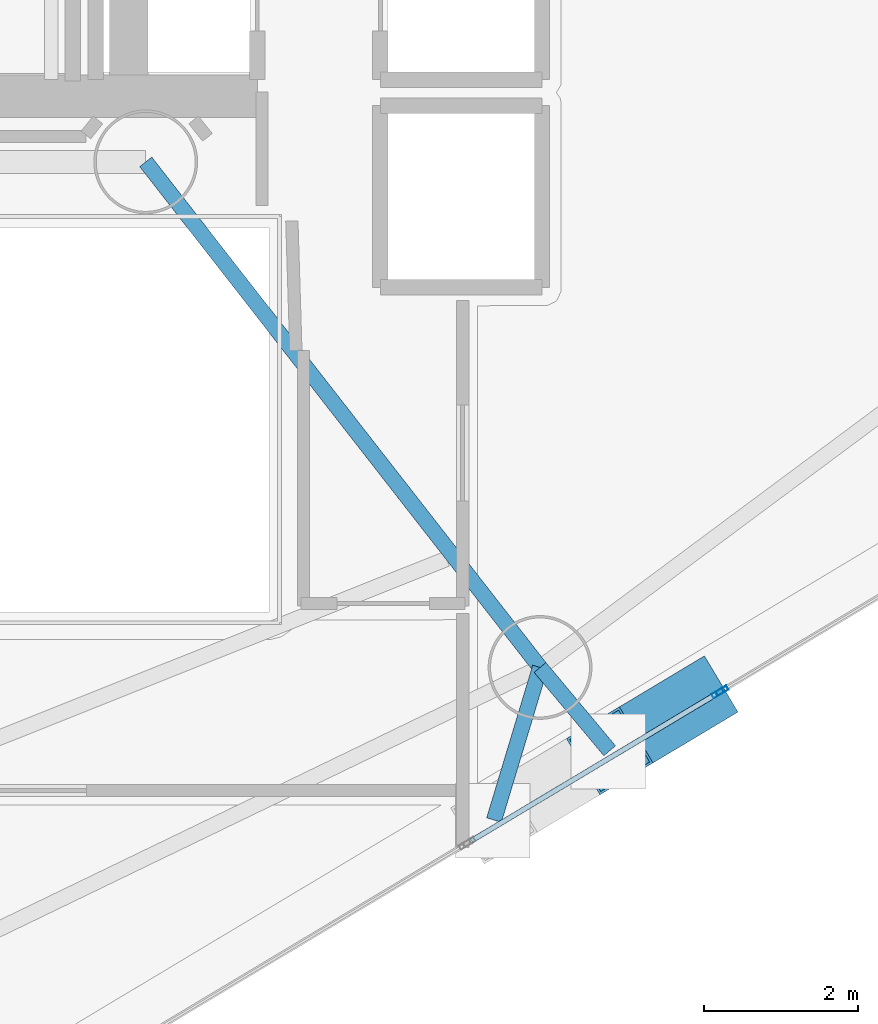
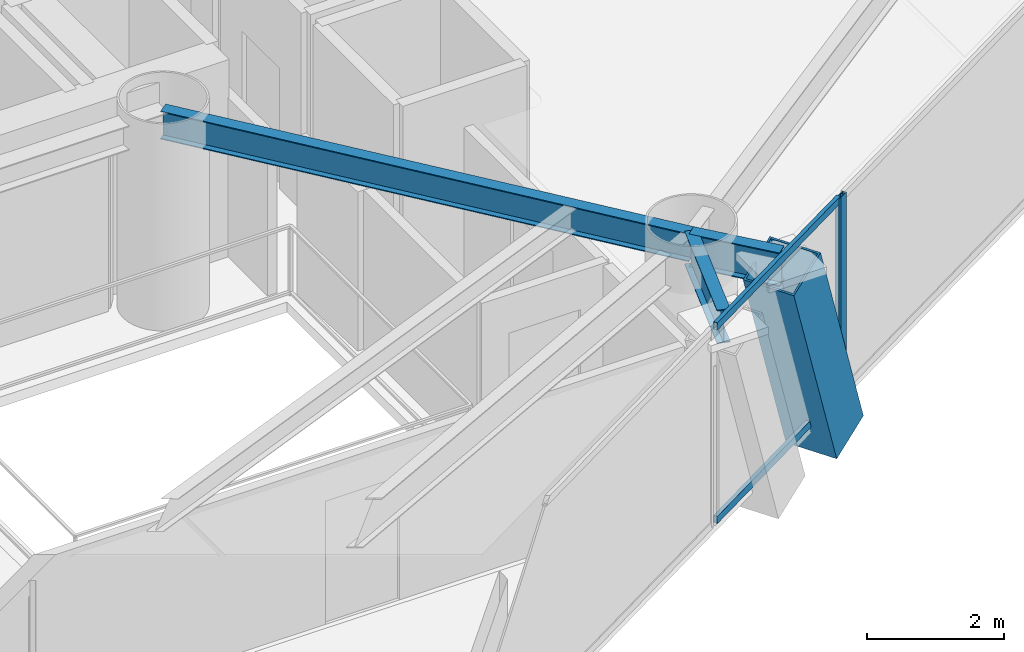
# One storey, part 6 of 22: 5 members, 3 beams, 2 elements without a shape of their own.
"""IFC4 building model written with IfcOpenShell, lengths in metres."""

from ifc_helpers import new_model, si_unit, direction, frame, origin, origin_2d, place, context, subcontext, project, spatial, hollow_rectangle, i_section, extrude, material, layer, layer_set, material_profile, profile_set, type_object, element, aggregate, save


model = new_model("IFC4")

# Units and contexts
model_context = context("Model", 3, precision=1e-05, world=origin(), true_north=direction((0.0, 1.0)))
body_context = subcontext(model_context, "Body", "Model", "MODEL_VIEW")
ifc_project = project(units=[si_unit("LENGTHUNIT", "METRE"), si_unit("AREAUNIT", "SQUARE_METRE"), si_unit("VOLUMEUNIT", "CUBIC_METRE"), si_unit("PLANEANGLEUNIT", "RADIAN"), si_unit("MASSUNIT", "GRAM", prefix="KILO")], contexts=[model_context])

# Site, building, storey
site_placement = place(None, origin())
site = spatial("IfcSite", under=ifc_project, at=site_placement, CompositionType="ELEMENT")
building_placement = place(site_placement, origin())
building = spatial("IfcBuilding", under=site, at=building_placement, Name="Qianvela Tower", CompositionType="ELEMENT")
storey_placement = place(building_placement, frame((0.0, 0.0, 173.5)))
storey = spatial("IfcBuildingStorey", under=building, at=storey_placement, Name="L44", CompositionType="ELEMENT", Elevation=173.5)

# Beams
ifc_material_1 = material(Name="Steel Q355B", Category="steel")
ifc_material_profile_1 = material_profile(ifc_material_1, i_section(OverallWidth=0.199951171875, OverallDepth=0.5, WebThickness=0.010009765625, FlangeThickness=0.01611328125, at=origin_2d()), Name="HN500x200x10x16")
ifc_profile_set_1 = profile_set([ifc_material_profile_1], Name="Steel Q355B")
beam_type_1 = type_object("IfcBeamType", Name="BM-HN500-GIRD", PredefinedType="BEAM", material=ifc_profile_set_1)
beam_1_placement = place(storey_placement, frame((38.39990234375, 23.85009765625, 3.26806640625), z_axis=(0.615000832816, -0.788526458424, 0.0), x_axis=(0.788526458424, 0.615000832816, 0.0)))
element("IfcBeam", 1, at=beam_1_placement, inside=storey, type_object=beam_type_1, Name="L44 Radial Primary Floor Girder 6", PredefinedType="BEAM", context=body_context, shape_type="SweptSolid", body=[
    extrude(i_section(OverallWidth=0.199951171875, OverallDepth=0.5, WebThickness=0.010009765625, FlangeThickness=0.01611328125, at=origin_2d()), origin(), (0.0, 0.0, 1.0), 8.333251953125),
])
ifc_material_2 = material(Name="Steel Q355B", Category="steel")
ifc_material_profile_2 = material_profile(ifc_material_2, i_section(OverallWidth=0.199951171875, OverallDepth=0.60009765625, WebThickness=0.010986328125, FlangeThickness=0.01708984375, at=origin_2d()), Name="HN600x200x11x17")
ifc_profile_set_2 = profile_set([ifc_material_profile_2], Name="Steel Q355B")
beam_type_2 = type_object("IfcBeamType", Name="BM-HN600-GIRD", PredefinedType="BEAM", material=ifc_profile_set_2)
beam_2_placement = place(storey_placement, frame((43.52490234375, 17.279052734375, 3.218017578125), z_axis=(-0.288806942774, -0.957387356197, 0.0), x_axis=(0.957387356197, -0.288806942774, 0.0)))
element("IfcBeam", 2, at=beam_2_placement, inside=storey, type_object=beam_type_2, Name="L44 Mega-Brace Column Tie Bracket F3-1", PredefinedType="BEAM", context=body_context, shape_type="SweptSolid", body=[
    extrude(i_section(OverallWidth=0.199951171875, OverallDepth=0.60009765625, WebThickness=0.010986328125, FlangeThickness=0.01708984375, at=origin_2d()), origin(), (0.0, 0.0, 1.0), 2.072021484375),
])
beam_3_placement = place(storey_placement, frame((43.52490234375, 17.279052734375, 3.218017578125), z_axis=(0.641153586009, -0.767412587301, 0.0), x_axis=(0.767412587301, 0.641153586009, 0.0)))
element("IfcBeam", 3, at=beam_3_placement, inside=storey, type_object=beam_type_2, Name="L44 Mega-Brace Column Tie Bracket F3-2", PredefinedType="BEAM", context=body_context, shape_type="SweptSolid", body=[
    extrude(i_section(OverallWidth=0.199951171875, OverallDepth=0.60009765625, WebThickness=0.010986328125, FlangeThickness=0.01708984375, at=origin_2d()), origin(), (0.0, 0.0, 1.0), 1.41162109375),
])

# Curtain wall, members
ifc_material_3 = material(Name="Anodised Architectural Aluminium and Insulated Spandrel Panel", Category="aluminium")
ifc_layer_1 = layer(ifc_material_3, 0.179931640625)
ifc_layer_set_1 = layer_set([ifc_layer_1], Name="Anodised Architectural Aluminium and Insulated Spandrel Panel")
curtain_wall_type_1 = type_object("IfcCurtainWallType", Name="CW-BRACEBAY", PredefinedType="USERDEFINED", material=ifc_layer_set_1)
curtain_wall_1_placement = place(storey_placement, origin())
curtain_wall_1 = element("IfcCurtainWall", 4, at=curtain_wall_1_placement, inside=storey, type_object=curtain_wall_type_1, Name="L44 CW-BRACEBAY Curtain Wall 06B", ObjectType="CURTAIN_WALL_SYSTEM", PredefinedType="USERDEFINED")
ifc_material_4 = material(Name="Anodised Architectural Aluminium 6063-T6", Category="aluminium")
ifc_material_profile_3 = material_profile(ifc_material_4, hollow_rectangle(XDim=0.06494140625, YDim=0.159912109375, WallThickness=0.0048828125, at=origin_2d()), Name="ALU-MULL-65x160")
ifc_profile_set_3 = profile_set([ifc_material_profile_3], Name="Anodised Architectural Aluminium 6063-T6")
member_type_1 = type_object("IfcMemberType", Name="CW-BRACEBAY-MULL", PredefinedType="MULLION", material=ifc_profile_set_3)
member_1_placement = place(storey_placement, frame((45.8359375, 16.944580078125, 0.0), z_axis=(0.0, 0.0, 1.0), x_axis=(-0.51372762697, 0.857953335146, 0.0)))
member_1 = element("IfcMember", 5, at=member_1_placement, type_object=member_type_1, Name="CW-9 mullion 2", PredefinedType="MULLION", context=body_context, shape_type="SweptSolid", body=[
    extrude(hollow_rectangle(XDim=0.06494140625, YDim=0.159912109375, WallThickness=0.0048828125, at=origin_2d()), origin(), (0.0, 0.0, 1.0), 3.52001953125),
])
ifc_material_5 = material(Name="Anodised Architectural Aluminium 6063-T6", Category="aluminium")
ifc_material_profile_4 = material_profile(ifc_material_5, hollow_rectangle(XDim=0.06494140625, YDim=0.1298828125, WallThickness=0.00439453125, at=origin_2d()), Name="ALU-TRAN-65x130")
ifc_profile_set_4 = profile_set([ifc_material_profile_4], Name="Anodised Architectural Aluminium 6063-T6")
member_type_2 = type_object("IfcMemberType", Name="CW-BRACEBAY-TRAN", PredefinedType="USERDEFINED", material=ifc_profile_set_4)
member_2_placement = place(storey_placement, frame((42.633544921875, 15.027099609375, 0.032470703125), z_axis=(0.857981591439, 0.513680434465, 0.0), x_axis=(-0.513680434465, 0.857981591439, 0.0)))
member_2 = element("IfcMember", 6, at=member_2_placement, type_object=member_type_2, Name="CW-9 transom 1.1", ObjectType="TRANSOM", PredefinedType="USERDEFINED", context=body_context, shape_type="SweptSolid", body=[
    extrude(hollow_rectangle(XDim=0.06494140625, YDim=0.1298828125, WallThickness=0.00439453125, at=origin_2d()), origin(), (0.0, 0.0, 1.0), 3.699951171875),
])
member_3_placement = place(storey_placement, frame((42.633544921875, 15.027099609375, 3.487548828125), z_axis=(0.857981591439, 0.513680434465, 0.0), x_axis=(-0.513680434465, 0.857981591439, 0.0)))
member_3 = element("IfcMember", 7, at=member_3_placement, type_object=member_type_2, Name="CW-9 transom 1.2", ObjectType="TRANSOM", PredefinedType="USERDEFINED", context=body_context, shape_type="SweptSolid", body=[
    extrude(hollow_rectangle(XDim=0.06494140625, YDim=0.1298828125, WallThickness=0.00439453125, at=origin_2d()), origin(), (0.0, 0.0, 1.0), 3.699951171875),
])
aggregate(curtain_wall_1, [member_1, member_2, member_3])

# Curtain wall, member
ifc_material_6 = material(Name="Anodised Architectural Aluminium and Low-E Glass", Category="aluminium")
ifc_layer_2 = layer(ifc_material_6, 0.169921875)
ifc_layer_set_2 = layer_set([ifc_layer_2], Name="Anodised Architectural Aluminium and Low-E Glass")
curtain_wall_type_2 = type_object("IfcCurtainWallType", Name="CW-COLIV-Z34", PredefinedType="USERDEFINED", material=ifc_layer_set_2)
curtain_wall_2_placement = place(storey_placement, origin())
curtain_wall_2 = element("IfcCurtainWall", 8, at=curtain_wall_2_placement, inside=storey, type_object=curtain_wall_type_2, Name="L44 CW-COLIV-Z34 Curtain Wall 06C", ObjectType="CURTAIN_WALL_SYSTEM", PredefinedType="USERDEFINED")
ifc_material_7 = material(Name="Anodised Architectural Aluminium 6063-T6", Category="aluminium")
ifc_material_profile_5 = material_profile(ifc_material_7, hollow_rectangle(XDim=0.06494140625, YDim=0.159912109375, WallThickness=0.0048828125, at=origin_2d()), Name="ALU-MULL-65x160")
ifc_profile_set_5 = profile_set([ifc_material_profile_5], Name="Anodised Architectural Aluminium 6063-T6")
member_type_3 = type_object("IfcMemberType", Name="CW-COLIV-Z34-MULL", PredefinedType="MULLION", material=ifc_profile_set_5)
member_4_placement = place(storey_placement, frame((45.891845703125, 16.977783203125, 0.0), z_axis=(0.0, 0.0, 1.0), x_axis=(-0.513735761782, 0.857948464109, 0.0)))
member_4 = element("IfcMember", 9, at=member_4_placement, type_object=member_type_3, Name="CW-4 mullion 1", PredefinedType="MULLION", context=body_context, shape_type="SweptSolid", body=[
    extrude(hollow_rectangle(XDim=0.06494140625, YDim=0.159912109375, WallThickness=0.0048828125, at=origin_2d()), origin(), (0.0, 0.0, 1.0), 3.52001953125),
])
aggregate(curtain_wall_2, [member_4])

# Member
ifc_material_8 = material(Name="Steel Q420GJC", Category="steel")
ifc_material_profile_6 = material_profile(ifc_material_8, hollow_rectangle(XDim=0.85009765625, YDim=0.85009765625, WallThickness=0.031982421875, at=origin_2d()), Name="MBOX-850x850x32")
ifc_profile_set_6 = profile_set([ifc_material_profile_6], Name="Steel Q420GJC")
member_type_4 = type_object("IfcMemberType", Name="MBR-MBRACE-850", PredefinedType="BRACE", material=ifc_profile_set_6)
member_5_placement = place(storey_placement, frame((45.53515625, 16.857666015625, -0.48193359375), z_axis=(-0.282102743947, -0.168937605222, 0.94439299415), x_axis=(0.513770961484, -0.857927385701, 0.0)))
element("IfcMember", 10, at=member_5_placement, inside=storey, type_object=member_type_4, Name="L44 Tier 7 Exterior Mega-Brace F3B", PredefinedType="BRACE", context=body_context, shape_type="SweptSolid", body=[
    extrude(hollow_rectangle(XDim=0.85009765625, YDim=0.85009765625, WallThickness=0.031982421875, at=origin_2d()), origin(), (0.0, 0.0, 1.0), 3.917724609375),
])

save(model, "model.ifc")
